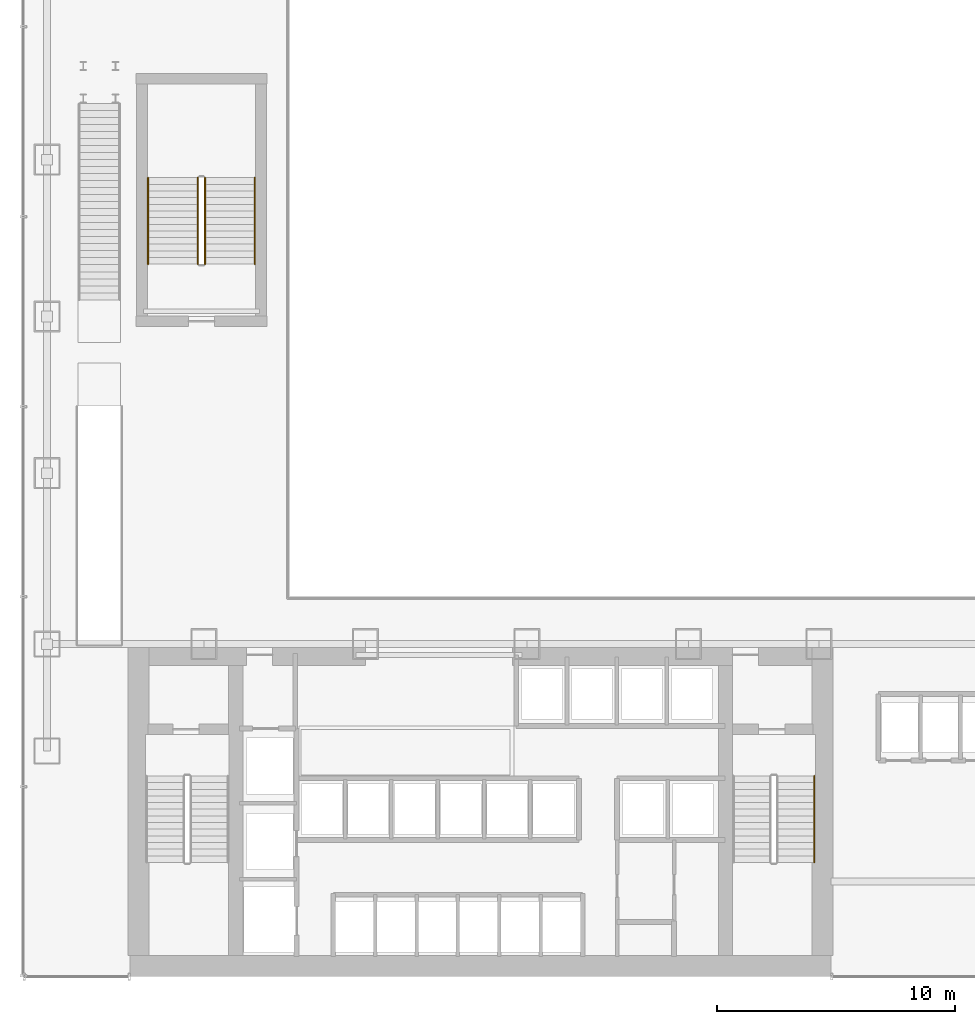
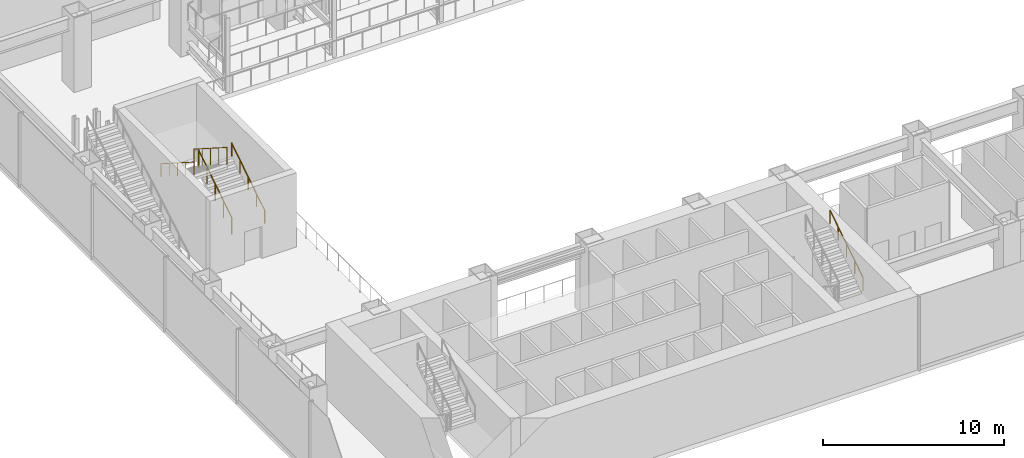
# One storey, part 33 of 40: 5 railings.
"""IFC4 building model written with IfcOpenShell, lengths in metres."""

from ifc_helpers import new_model, si_unit, derived_unit, direction, frame, origin, origin_2d, place, context, subcontext, project, spatial, circle, extrude, material, type_object, element, save


model = new_model("IFC4")

# Units and contexts
model_context = context("Model", 3, precision=1e-05, world=origin(), true_north=direction((0.0, 1.0)))
body_context = subcontext(model_context, "Body", "Model", "MODEL_VIEW")
ifc_project = project(units=[si_unit("LENGTHUNIT", "METRE"), si_unit("AREAUNIT", "SQUARE_METRE"), si_unit("VOLUMEUNIT", "CUBIC_METRE"), si_unit("PLANEANGLEUNIT", "RADIAN"), si_unit("MASSUNIT", "GRAM", prefix="KILO"), derived_unit("THERMALTRANSMITTANCEUNIT", [(si_unit("POWERUNIT", "WATT"), 1), (si_unit("LENGTHUNIT", "METRE"), -2), (si_unit("THERMODYNAMICTEMPERATUREUNIT", "KELVIN"), -1)])], contexts=[model_context])

# Site, building, storey
site_placement = place(None, origin())
site = spatial("IfcSite", under=ifc_project, at=site_placement, CompositionType="ELEMENT")
building_placement = place(site_placement, origin())
building = spatial("IfcBuilding", under=site, at=building_placement, Name="Skarnbrae Concourse Arena and Tower", CompositionType="ELEMENT")
storey_placement = place(building_placement, frame((0.0, 0.0, 6.0)))
storey = spatial("IfcBuildingStorey", under=building, at=storey_placement, Name="L01", CompositionType="ELEMENT", Elevation=6.0)

# Railings
ifc_material = material(Name="Steel CSA G40.21 350W", Category="steel")
railing_type_1 = type_object("IfcRailingType", Name="RAIL-HANDRAIL-900", PredefinedType="HANDRAIL", material=ifc_material)
for number, where, name in (
    (1, (33.300048828125, 4.81005859375, 2.678466796875), "L01 ST-2 stair handrail 2"),
    (2, (9.75, 30.0, 0.178466796875), "L01 ST-A3 stair handrail 1"),
):
    element("IfcRailing", number, at=place(storey_placement, frame(where)), inside=storey, type_object=railing_type_1, Name=name, PredefinedType="HANDRAIL", context=body_context, shape_type="SweptSolid", body=[
        extrude(circle(Radius=0.02392578125, at=origin_2d()), frame((0.0, 0.0, 0.8759765625), z_axis=(0.0, 0.843111507901, 0.53773877045), x_axis=(-1.0, 0.0, 0.0)), (0.0, 0.0, 1.0), 4.317138671875),
        extrude(circle(Radius=0.02099609375, at=origin_2d()), origin(), (0.0, 0.0, 1.0), 0.851806640625),
        extrude(circle(Radius=0.02099609375, at=origin_2d()), frame((0.0, 0.909912109375, 0.580322265625)), (0.0, 0.0, 1.0), 0.851806640625),
        extrude(circle(Radius=0.02099609375, at=origin_2d()), frame((0.0, 1.81982421875, 1.16064453125)), (0.0, 0.0, 1.0), 0.851806640625),
        extrude(circle(Radius=0.02099609375, at=origin_2d()), frame((0.0, 2.72998046875, 1.7412109375)), (0.0, 0.0, 1.0), 0.851806640625),
        extrude(circle(Radius=0.02099609375, at=origin_2d()), frame((0.0, 3.639892578125, 2.321533203125)), (0.0, 0.0, 1.0), 0.851806640625),
    ])
railing_1_placement = place(storey_placement, frame((5.25, 33.639892578125, 2.678466796875)))
element("IfcRailing", 3, at=railing_1_placement, inside=storey, type_object=railing_type_1, Name="L01 ST-A3 stair handrail 2", PredefinedType="HANDRAIL", context=body_context, shape_type="SweptSolid", body=[
    extrude(circle(Radius=0.02392578125, at=origin_2d()), frame((0.0, 0.0, 0.8759765625), z_axis=(0.0, -0.843111507901, 0.53773877045), x_axis=(1.0, 0.0, 0.0)), (0.0, 0.0, 1.0), 4.317138671875),
    extrude(circle(Radius=0.02099609375, at=origin_2d()), origin(), (0.0, 0.0, 1.0), 0.851806640625),
    extrude(circle(Radius=0.02099609375, at=origin_2d()), frame((0.0, -0.909912109375, 0.580322265625)), (0.0, 0.0, 1.0), 0.851806640625),
    extrude(circle(Radius=0.02099609375, at=origin_2d()), frame((0.0, -1.81982421875, 1.16064453125)), (0.0, 0.0, 1.0), 0.851806640625),
    extrude(circle(Radius=0.02099609375, at=origin_2d()), frame((0.0, -2.72998046875, 1.7412109375)), (0.0, 0.0, 1.0), 0.851806640625),
    extrude(circle(Radius=0.02099609375, at=origin_2d()), frame((0.0, -3.639892578125, 2.321533203125)), (0.0, 0.0, 1.0), 0.851806640625),
])
railing_type_2 = type_object("IfcRailingType", Name="RAIL-STAIR-GUARD-1150", PredefinedType="GUARDRAIL", material=ifc_material)
railing_2_placement = place(storey_placement, frame((7.64990234375, 30.0, 0.178466796875)))
element("IfcRailing", 4, at=railing_2_placement, inside=storey, type_object=railing_type_2, Name="L01 ST-A3 stair guard 1", PredefinedType="GUARDRAIL", context=body_context, shape_type="SweptSolid", body=[
    extrude(circle(Radius=0.02392578125, at=origin_2d()), frame((0.0, 0.0, 1.1259765625), z_axis=(0.0, 0.843111507901, 0.53773877045), x_axis=(-1.0, 0.0, 0.0)), (0.0, 0.0, 1.0), 4.317138671875),
    extrude(circle(Radius=0.02099609375, at=origin_2d()), origin(), (0.0, 0.0, 1.0), 1.101806640625),
    extrude(circle(Radius=0.02099609375, at=origin_2d()), frame((0.0, 0.909912109375, 0.580322265625)), (0.0, 0.0, 1.0), 1.101806640625),
    extrude(circle(Radius=0.02099609375, at=origin_2d()), frame((0.0, 1.81982421875, 1.16064453125)), (0.0, 0.0, 1.0), 1.101806640625),
    extrude(circle(Radius=0.02099609375, at=origin_2d()), frame((0.0, 2.72998046875, 1.7412109375)), (0.0, 0.0, 1.0), 1.101806640625),
    extrude(circle(Radius=0.02099609375, at=origin_2d()), frame((0.0, 3.639892578125, 2.321533203125)), (0.0, 0.0, 1.0), 1.101806640625),
])
railing_3_placement = place(storey_placement, frame((7.35009765625, 33.639892578125, 2.678466796875)))
element("IfcRailing", 5, at=railing_3_placement, inside=storey, type_object=railing_type_2, Name="L01 ST-A3 stair guard 3", PredefinedType="GUARDRAIL", context=body_context, shape_type="SweptSolid", body=[
    extrude(circle(Radius=0.02392578125, at=origin_2d()), frame((0.0, 0.0, 1.1259765625), z_axis=(0.0, -0.843111507901, 0.53773877045), x_axis=(1.0, 0.0, 0.0)), (0.0, 0.0, 1.0), 4.317138671875),
    extrude(circle(Radius=0.02099609375, at=origin_2d()), origin(), (0.0, 0.0, 1.0), 1.101806640625),
    extrude(circle(Radius=0.02099609375, at=origin_2d()), frame((0.0, -0.909912109375, 0.580322265625)), (0.0, 0.0, 1.0), 1.101806640625),
    extrude(circle(Radius=0.02099609375, at=origin_2d()), frame((0.0, -1.81982421875, 1.16064453125)), (0.0, 0.0, 1.0), 1.101806640625),
    extrude(circle(Radius=0.02099609375, at=origin_2d()), frame((0.0, -2.72998046875, 1.7412109375)), (0.0, 0.0, 1.0), 1.101806640625),
    extrude(circle(Radius=0.02099609375, at=origin_2d()), frame((0.0, -3.639892578125, 2.321533203125)), (0.0, 0.0, 1.0), 1.101806640625),
])

save(model, "model.ifc")
